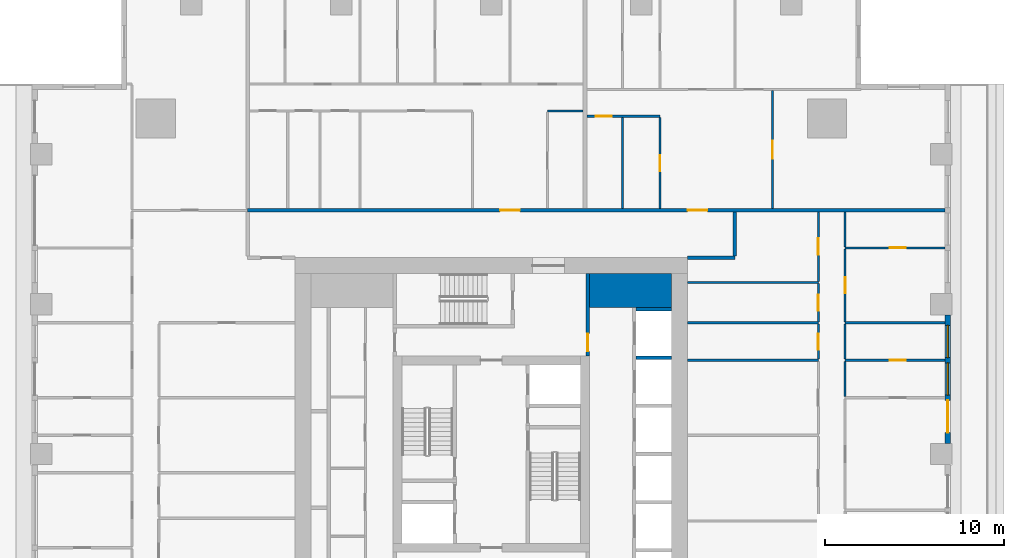
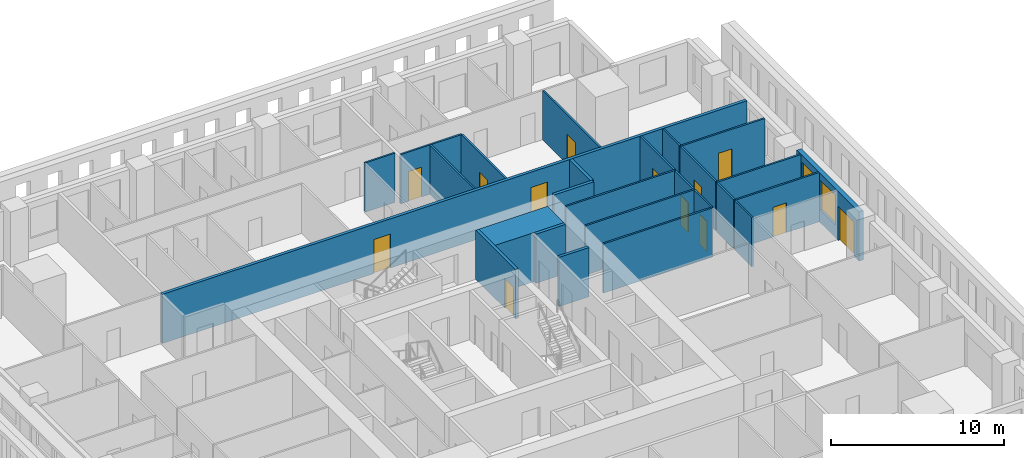
# One storey, part 8 of 15: 26 walls, 13 doors, 2 windows, 15 openings.
"""IFC4 building model written with IfcOpenShell, lengths in metres."""

from ifc_helpers import new_model, si_unit, direction, frame, frame_2d, origin, place, context, subcontext, project, spatial, rectangle, extrude, material, layer, layer_set, type_object, element, fill, save


model = new_model("IFC4")

# Units and contexts
model_context = context("Model", 3, precision=1e-05, world=origin(), true_north=direction((0.0, 1.0)))
body_context = subcontext(model_context, "Body", "Model", "MODEL_VIEW")
ifc_project = project(units=[si_unit("LENGTHUNIT", "METRE"), si_unit("AREAUNIT", "SQUARE_METRE"), si_unit("VOLUMEUNIT", "CUBIC_METRE"), si_unit("PLANEANGLEUNIT", "RADIAN"), si_unit("MASSUNIT", "GRAM", prefix="KILO")], contexts=[model_context])

# Site, building, storey
site_placement = place(None, origin())
site = spatial("IfcSite", under=ifc_project, at=site_placement, CompositionType="ELEMENT")
building_placement = place(site_placement, origin())
building = spatial("IfcBuilding", under=site, at=building_placement, Name="Khepri Terraces", CompositionType="ELEMENT")
storey_placement = place(building_placement, frame((0.0, 0.0, 252.300048828125)))
storey = spatial("IfcBuildingStorey", under=building, at=storey_placement, Name="L60", CompositionType="ELEMENT", Elevation=252.300048828125)

# Walls
ifc_material_1 = material(Name="Concrete C40/50", Category="concrete")
ifc_layer_1 = layer(ifc_material_1, 1.89990234375, Name="Concrete C40/50", Category="concrete")
ifc_layer_set_1 = layer_set([ifc_layer_1], Name="Concrete C40/50")
wall_type_1 = type_object("IfcWallType", Name="Core wall 1900 C40/50", PredefinedType="SHEAR", material=ifc_layer_set_1)
wall_1_placement = place(storey_placement, frame((5.5, 9.14990234375, 0.0), z_axis=(0.0, 0.0, 1.0), x_axis=(1.0, 0.0, 0.0)))
element("IfcWall", 1, at=wall_1_placement, inside=storey, type_object=wall_type_1, Name="Core wall PR04 L60", PredefinedType="SHEAR", context=body_context, shape_type="SweptSolid", body=[
    extrude(rectangle(XDim=4.60009765625, YDim=1.89990234375, at=frame_2d((2.300048828125, 0.0))), origin(), (0.0, 0.0, 1.0), 3.47998046875),
])
ifc_layer_2 = layer(ifc_material_1, 0.199951171875, Name="Concrete C40/50", Category="concrete")
ifc_layer_set_2 = layer_set([ifc_layer_2], Name="Concrete C40/50")
wall_type_2 = type_object("IfcWallType", Name="Core wall 200 C40/50", PredefinedType="SHEAR", material=ifc_layer_set_2)
for number, where, z_axis, x_axis, name in (
    (2, (8.10009765625, 5.39990234375, 0.0), (0.0, 0.0, 1.0), (1.0, 0.0, 0.0), "Core wall SH14 L60"),
    (3, (8.10009765625, 8.10009765625, 0.0), (0.0, 0.0, 1.0), (1.0, 0.0, 0.0), "Core wall SH15 L60"),
):
    element("IfcWall", number, at=place(storey_placement, frame(where, z_axis=z_axis, x_axis=x_axis)), inside=storey, type_object=wall_type_2, Name=name, PredefinedType="SHEAR", context=body_context, shape_type="SweptSolid", body=[
        extrude(rectangle(XDim=2.0, YDim=0.199951171875, at=frame_2d((1.0, 0.0))), origin(), (0.0, 0.0, 1.0), 3.47998046875),
    ])

# Wall, opening, door
ifc_material_2 = material(Name="Fire-rated gypsum board partition")
ifc_layer_3 = layer(ifc_material_2, 0.199951171875, Name="Fire-rated gypsum board partition")
ifc_layer_set_3 = layer_set([ifc_layer_3], Name="Fire-rated gypsum board partition")
wall_type_3 = type_object("IfcWallType", Name="WL-CORE-PART-200", PredefinedType="PARTITIONING", material=ifc_layer_set_3)
wall_2_placement = place(storey_placement, frame((5.39990234375, 5.5, 0.0), z_axis=(0.0, 0.0, 1.0), x_axis=(0.0, 1.0, 0.0)))
wall_2 = element("IfcWall", 4, at=wall_2_placement, inside=storey, type_object=wall_type_3, Name="Core partition PT12 L60", PredefinedType="PARTITIONING", context=body_context, shape_type="SweptSolid", body=[
    extrude(rectangle(XDim=4.60009765625, YDim=0.199951171875, at=frame_2d((2.300048828125, 0.0))), origin(), (0.0, 0.0, 1.0), 3.47998046875),
])
opening_1_placement = place(wall_2_placement, frame((0.25, 0.0, 0.0)))
opening_1 = element("IfcOpeningElement", 5, at=opening_1_placement, cuts=wall_2, Name="Opening L60-C17", PredefinedType="OPENING", context=body_context, shape_type="SweptSolid", body=[
    extrude(rectangle(XDim=1.0, YDim=2.10009765625, at=frame_2d((0.5, 1.050048828125))), frame((0.0, 0.10986328125, 0.0), z_axis=(0.0, -1.0, 0.0), x_axis=(1.0, 0.0, 0.0)), (0.0, 0.0, 1.0), 0.219970703125),
])
ifc_material_3 = material(Name="Painted steel", Category="steel")
door_type_1 = type_object("IfcDoorType", Name="DR-CORE-LOBBY-1000", OperationType="NOTDEFINED", PredefinedType="DOOR", material=ifc_material_3)
door_1_placement = place(opening_1_placement, origin())
door_1 = element("IfcDoor", 6, at=door_1_placement, inside=storey, type_object=door_type_1, Name="Lobby door L60-C17", OperationType="SINGLE_SWING_LEFT", OverallHeight=2.10009765625, OverallWidth=1.0, PredefinedType="DOOR", context=body_context, shape_type="SweptSolid", body=[
    extrude(rectangle(XDim=1.0, YDim=2.10009765625, at=frame_2d((0.5, 1.050048828125))), frame((0.0, 0.02490234375, 0.0), z_axis=(0.0, -1.0, 0.0), x_axis=(1.0, 0.0, 0.0)), (0.0, 0.0, 1.0), 0.050048828125),
])
fill(opening_1, door_1)

# Walls
ifc_material_4 = material(Name="Fire-rated gypsum plasterboard partition, mineral wool")
ifc_layer_4 = layer(ifc_material_4, 0.199951171875, Name="Fire-rated gypsum plasterboard partition, mineral wool")
ifc_layer_set_4 = layer_set([ifc_layer_4], Name="Fire-rated gypsum plasterboard partition, mineral wool")
wall_type_4 = type_object("IfcWallType", Name="WL-CORR-200", PredefinedType="PARTITIONING", material=ifc_layer_set_4)
wall_3_placement = place(storey_placement, frame((11.0, 11.0, 0.0), z_axis=(0.0, 0.0, 1.0), x_axis=(1.0, 0.0, 0.0)))
element("IfcWall", 7, at=wall_3_placement, inside=storey, type_object=wall_type_4, Name="Partition P-073 L60", PredefinedType="PARTITIONING", context=body_context, shape_type="SweptSolid", body=[
    extrude(rectangle(XDim=2.64990234375, YDim=0.199951171875, at=frame_2d((1.324951171875, 0.0))), origin(), (0.0, 0.0, 1.0), 3.47998046875),
])
wall_4_placement = place(storey_placement, frame((13.64990234375, 11.10009765625, 0.0), z_axis=(0.0, 0.0, 1.0), x_axis=(0.0, 1.0, 0.0)))
element("IfcWall", 8, at=wall_4_placement, inside=storey, type_object=wall_type_4, Name="Partition P-075 L60", PredefinedType="PARTITIONING", context=body_context, shape_type="SweptSolid", body=[
    extrude(rectangle(XDim=2.449951171875, YDim=0.199951171875, at=frame_2d((1.22509765625, 0.0))), origin(), (0.0, 0.0, 1.0), 3.47998046875),
])

# Wall, openings, doors
wall_5_placement = place(storey_placement, frame((-13.64990234375, 13.64990234375, 0.0), z_axis=(0.0, 0.0, 1.0), x_axis=(1.0, 0.0, 0.0)))
wall_5 = element("IfcWall", 9, at=wall_5_placement, inside=storey, type_object=wall_type_4, Name="Partition P-081 L60", PredefinedType="PARTITIONING", context=body_context, shape_type="SweptSolid", body=[
    extrude(rectangle(XDim=39.06982421875, YDim=0.199951171875, at=frame_2d((19.534912109375, 0.0))), origin(), (0.0, 0.0, 1.0), 3.47998046875),
])
opening_2_placement = place(wall_5_placement, frame((24.64990234375, 0.0, 0.0)))
opening_2 = element("IfcOpeningElement", 10, at=opening_2_placement, cuts=wall_5, Name="Opening D1", PredefinedType="OPENING", context=body_context, shape_type="SweptSolid", body=[
    extrude(rectangle(XDim=1.10009765625, YDim=2.39990234375, at=frame_2d((0.550048828125, 1.199951171875))), frame((0.0, 0.10986328125, 0.0), z_axis=(0.0, -1.0, 0.0), x_axis=(1.0, 0.0, 0.0)), (0.0, 0.0, 1.0), 0.219970703125),
])
opening_3_placement = place(wall_5_placement, frame((14.14990234375, 0.0, 0.0)))
opening_3 = element("IfcOpeningElement", 11, at=opening_3_placement, cuts=wall_5, Name="Opening D1", PredefinedType="OPENING", context=body_context, shape_type="SweptSolid", body=[
    extrude(rectangle(XDim=1.10009765625, YDim=2.39990234375, at=frame_2d((0.550048828125, 1.199951171875))), frame((0.0, 0.10986328125, 0.0), z_axis=(0.0, -1.0, 0.0), x_axis=(1.0, 0.0, 0.0)), (0.0, 0.0, 1.0), 0.219970703125),
])
ifc_material_5 = material(Name="Solid-core timber door leaf, flat entrance door", Category="wood")
door_type_2 = type_object("IfcDoorType", Name="DR-ENT-1100", OperationType="NOTDEFINED", PredefinedType="DOOR", material=ifc_material_5)
door_2_placement = place(opening_2_placement, origin())
door_2 = element("IfcDoor", 12, at=door_2_placement, inside=storey, type_object=door_type_2, Name="Flat C1 entrance door", OperationType="SINGLE_SWING_RIGHT", OverallHeight=2.39990234375, OverallWidth=1.10009765625, PredefinedType="DOOR", context=body_context, shape_type="SweptSolid", body=[
    extrude(rectangle(XDim=1.10009765625, YDim=2.39990234375, at=frame_2d((0.550048828125, 1.199951171875))), frame((0.0, 0.02490234375, 0.0), z_axis=(0.0, -1.0, 0.0), x_axis=(1.0, 0.0, 0.0)), (0.0, 0.0, 1.0), 0.050048828125),
])
fill(opening_2, door_2)
door_3_placement = place(opening_3_placement, origin())
door_3 = element("IfcDoor", 13, at=door_3_placement, inside=storey, type_object=door_type_2, Name="Flat C2 entrance door", OperationType="SINGLE_SWING_LEFT", OverallHeight=2.39990234375, OverallWidth=1.10009765625, PredefinedType="DOOR", context=body_context, shape_type="SweptSolid", body=[
    extrude(rectangle(XDim=1.10009765625, YDim=2.39990234375, at=frame_2d((0.550048828125, 1.199951171875))), frame((0.0, 0.02490234375, 0.0), z_axis=(0.0, -1.0, 0.0), x_axis=(1.0, 0.0, 0.0)), (0.0, 0.0, 1.0), 0.050048828125),
])
fill(opening_3, door_3)

# Wall, openings, door, windows
ifc_material_6 = material(Name="Precast concrete C50/60 warm stone", Category="masonry")
ifc_layer_5 = layer(ifc_material_6, 0.300048828125, Name="Precast concrete C50/60 warm stone", Category="masonry")
ifc_layer_set_5 = layer_set([ifc_layer_5], Name="Precast concrete C50/60 warm stone")
wall_type_5 = type_object("IfcWallType", Name="WL-EXT-PRECAST-300", PredefinedType="STANDARD", material=ifc_layer_set_5)
wall_6_placement = place(storey_placement, frame((25.570068359375, 0.60009765625, 0.0), z_axis=(0.0, 0.0, 1.0), x_axis=(0.0, 1.0, 0.0)))
wall_6 = element("IfcWall", 14, at=wall_6_placement, inside=storey, type_object=wall_type_5, Name="External wall L60 E", PredefinedType="STANDARD", context=body_context, shape_type="SweptSolid", body=[
    extrude(rectangle(XDim=7.199951171875, YDim=0.300048828125, at=frame_2d((3.60009765625, 0.0))), origin(), (0.0, 0.0, 1.0), 3.47998046875),
])
opening_4_placement = place(wall_6_placement, frame((0.60009765625, 0.0, 0.0)))
opening_4 = element("IfcOpeningElement", 15, at=opening_4_placement, cuts=wall_6, Name="Opening ED-L60-06", PredefinedType="OPENING", context=body_context, shape_type="SweptSolid", body=[
    extrude(rectangle(XDim=1.800048828125, YDim=2.39990234375, at=frame_2d((0.89990234375, 1.199951171875))), frame((0.0, 0.16015625, 0.0), z_axis=(0.0, -1.0, 0.0), x_axis=(1.0, 0.0, 0.0)), (0.0, 0.0, 1.0), 0.320068359375),
])
opening_5_placement = place(wall_6_placement, frame((2.699951171875, 0.0, 0.89990234375)))
opening_5 = element("IfcOpeningElement", 16, at=opening_5_placement, cuts=wall_6, Name="Opening W1", PredefinedType="OPENING", context=body_context, shape_type="SweptSolid", body=[
    extrude(rectangle(XDim=1.800048828125, YDim=2.10009765625, at=frame_2d((0.89990234375, 1.050048828125))), frame((0.0, 0.16015625, 0.0), z_axis=(0.0, -1.0, 0.0), x_axis=(1.0, 0.0, 0.0)), (0.0, 0.0, 1.0), 0.320068359375),
])
opening_6_placement = place(wall_6_placement, frame((4.800048828125, 0.0, 0.89990234375)))
opening_6 = element("IfcOpeningElement", 17, at=opening_6_placement, cuts=wall_6, Name="Opening W1", PredefinedType="OPENING", context=body_context, shape_type="SweptSolid", body=[
    extrude(rectangle(XDim=1.800048828125, YDim=2.10009765625, at=frame_2d((0.89990234375, 1.050048828125))), frame((0.0, 0.16015625, 0.0), z_axis=(0.0, -1.0, 0.0), x_axis=(1.0, 0.0, 0.0)), (0.0, 0.0, 1.0), 0.320068359375),
])
ifc_material_7 = material(Name="Anodised aluminium bronze glazed door", Category="aluminium")
door_type_3 = type_object("IfcDoorType", Name="DR-BAL-SLIDE-1800x2400", OperationType="NOTDEFINED", PredefinedType="DOOR", material=ifc_material_7)
door_4_placement = place(opening_4_placement, origin())
door_4 = element("IfcDoor", 18, at=door_4_placement, inside=storey, type_object=door_type_3, Name="Balcony door L60 E", OperationType="SLIDING_TO_LEFT", OverallHeight=2.39990234375, OverallWidth=1.800048828125, PredefinedType="DOOR", context=body_context, shape_type="SweptSolid", body=[
    extrude(rectangle(XDim=1.800048828125, YDim=2.39990234375, at=frame_2d((0.89990234375, 1.199951171875))), frame((0.0, 0.02490234375, 0.0), z_axis=(0.0, -1.0, 0.0), x_axis=(1.0, 0.0, 0.0)), (0.0, 0.0, 1.0), 0.050048828125),
])
fill(opening_4, door_4)
ifc_material_8 = material(Name="Clear glass", Category="glass")
window_type = type_object("IfcWindowType", Name="WIN-RES-1800x2100", PartitioningType="SINGLE_PANEL", PredefinedType="WINDOW", material=ifc_material_8)
window_1_placement = place(opening_5_placement, origin())
window_1 = element("IfcWindow", 19, at=window_1_placement, inside=storey, type_object=window_type, Name="Window L60 E", OverallHeight=2.10009765625, OverallWidth=1.800048828125, PartitioningType="SINGLE_PANEL", PredefinedType="WINDOW", context=body_context, shape_type="SweptSolid", body=[
    extrude(rectangle(XDim=1.800048828125, YDim=2.10009765625, at=frame_2d((0.89990234375, 1.050048828125))), frame((0.0, 0.030029296875, 0.0), z_axis=(0.0, -1.0, 0.0), x_axis=(1.0, 0.0, 0.0)), (0.0, 0.0, 1.0), 0.06005859375),
])
fill(opening_5, window_1)
window_2_placement = place(opening_6_placement, origin())
window_2 = element("IfcWindow", 20, at=window_2_placement, inside=storey, type_object=window_type, Name="Window L60 E", OverallHeight=2.10009765625, OverallWidth=1.800048828125, PartitioningType="SINGLE_PANEL", PredefinedType="WINDOW", context=body_context, shape_type="SweptSolid", body=[
    extrude(rectangle(XDim=1.800048828125, YDim=2.10009765625, at=frame_2d((0.89990234375, 1.050048828125))), frame((0.0, 0.030029296875, 0.0), z_axis=(0.0, -1.0, 0.0), x_axis=(1.0, 0.0, 0.0)), (0.0, 0.0, 1.0), 0.06005859375),
])
fill(opening_6, window_2)

# Walls
ifc_material_9 = material(Name="Gypsum plasterboard partition")
ifc_layer_6 = layer(ifc_material_9, 0.1201171875, Name="Gypsum plasterboard partition")
ifc_layer_set_6 = layer_set([ifc_layer_6], Name="Gypsum plasterboard partition")
wall_type_6 = type_object("IfcWallType", Name="WL-PART-120", PredefinedType="PARTITIONING", material=ifc_layer_set_6)
wall_7_placement = place(storey_placement, frame((19.820068359375, 3.2099609375, 0.0), z_axis=(0.0, 0.0, 1.0), x_axis=(0.0, 1.0, 0.0)))
element("IfcWall", 21, at=wall_7_placement, inside=storey, type_object=wall_type_6, Name="Partition P-058 L60", PredefinedType="PARTITIONING", context=body_context, shape_type="SweptSolid", body=[
    extrude(rectangle(XDim=1.97998046875, YDim=0.1201171875, at=frame_2d((0.989990234375, 0.0))), origin(), (0.0, 0.0, 1.0), 3.47998046875),
])
wall_8_placement = place(storey_placement, frame((11.0, 5.25, 0.0), z_axis=(0.0, 0.0, 1.0), x_axis=(1.0, 0.0, 0.0)))
element("IfcWall", 22, at=wall_8_placement, inside=storey, type_object=wall_type_6, Name="Partition P-059 L60", PredefinedType="PARTITIONING", context=body_context, shape_type="SweptSolid", body=[
    extrude(rectangle(XDim=7.320068359375, YDim=0.1201171875, at=frame_2d((3.66015625, 0.0))), origin(), (0.0, 0.0, 1.0), 3.47998046875),
])

# Wall, opening, door
wall_9_placement = place(storey_placement, frame((19.820068359375, 5.25, 0.0), z_axis=(0.0, 0.0, 1.0), x_axis=(1.0, 0.0, 0.0)))
wall_9 = element("IfcWall", 23, at=wall_9_placement, inside=storey, type_object=wall_type_6, Name="Partition P-060 L60", PredefinedType="PARTITIONING", context=body_context, shape_type="SweptSolid", body=[
    extrude(rectangle(XDim=5.599853515625, YDim=0.1201171875, at=frame_2d((2.7998046875, 0.0))), origin(), (0.0, 0.0, 1.0), 3.47998046875),
])
opening_7_placement = place(wall_9_placement, frame((2.5, 0.0, 0.0)))
opening_7 = element("IfcOpeningElement", 24, at=opening_7_placement, cuts=wall_9, Name="Opening D4", PredefinedType="OPENING", context=body_context, shape_type="SweptSolid", body=[
    extrude(rectangle(XDim=0.89990234375, YDim=2.10009765625, at=frame_2d((0.449951171875, 1.050048828125))), frame((0.0, 0.070068359375, 0.0), z_axis=(0.0, -1.0, 0.0), x_axis=(1.0, 0.0, 0.0)), (0.0, 0.0, 1.0), 0.14013671875),
])
ifc_material_10 = material(Name="Timber door leaf, moisture resistant", Category="wood")
door_type_4 = type_object("IfcDoorType", Name="DR-WET-900", OperationType="NOTDEFINED", PredefinedType="DOOR", material=ifc_material_10)
door_5_placement = place(opening_7_placement, origin())
door_5 = element("IfcDoor", 25, at=door_5_placement, inside=storey, type_object=door_type_4, Name="Door Bathroom", OperationType="SINGLE_SWING_RIGHT", OverallHeight=2.10009765625, OverallWidth=0.89990234375, PredefinedType="DOOR", context=body_context, shape_type="SweptSolid", body=[
    extrude(rectangle(XDim=0.89990234375, YDim=2.10009765625, at=frame_2d((0.449951171875, 1.050048828125))), frame((0.0, 0.02490234375, 0.0), z_axis=(0.0, -1.0, 0.0), x_axis=(1.0, 0.0, 0.0)), (0.0, 0.0, 1.0), 0.050048828125),
])
fill(opening_7, door_5)

wall_10_placement = place(storey_placement, frame((18.320068359375, 5.31005859375, 0.0), z_axis=(0.0, 0.0, 1.0), x_axis=(0.0, 1.0, 0.0)))
wall_10 = element("IfcWall", 26, at=wall_10_placement, inside=storey, type_object=wall_type_6, Name="Partition P-061 L60", PredefinedType="PARTITIONING", context=body_context, shape_type="SweptSolid", body=[
    extrude(rectangle(XDim=1.97998046875, YDim=0.1201171875, at=frame_2d((0.989990234375, 0.0))), origin(), (0.0, 0.0, 1.0), 3.47998046875),
])
opening_8_placement = place(wall_10_placement, frame((0.5400390625, 0.0, 0.0)))
opening_8 = element("IfcOpeningElement", 27, at=opening_8_placement, cuts=wall_10, Name="Opening D4", PredefinedType="OPENING", context=body_context, shape_type="SweptSolid", body=[
    extrude(rectangle(XDim=0.89990234375, YDim=2.10009765625, at=frame_2d((0.449951171875, 1.050048828125))), frame((0.0, 0.070068359375, 0.0), z_axis=(0.0, -1.0, 0.0), x_axis=(1.0, 0.0, 0.0)), (0.0, 0.0, 1.0), 0.14013671875),
])
door_6_placement = place(opening_8_placement, origin())
door_6 = element("IfcDoor", 28, at=door_6_placement, inside=storey, type_object=door_type_4, Name="Door Powder Room", OperationType="SINGLE_SWING_RIGHT", OverallHeight=2.10009765625, OverallWidth=0.89990234375, PredefinedType="DOOR", context=body_context, shape_type="SweptSolid", body=[
    extrude(rectangle(XDim=0.89990234375, YDim=2.10009765625, at=frame_2d((0.449951171875, 1.050048828125))), frame((0.0, 0.02490234375, 0.0), z_axis=(0.0, -1.0, 0.0), x_axis=(1.0, 0.0, 0.0)), (0.0, 0.0, 1.0), 0.050048828125),
])
fill(opening_8, door_6)

# Walls
wall_11_placement = place(storey_placement, frame((19.820068359375, 5.31005859375, 0.0), z_axis=(0.0, 0.0, 1.0), x_axis=(0.0, 1.0, 0.0)))
element("IfcWall", 29, at=wall_11_placement, inside=storey, type_object=wall_type_6, Name="Partition P-062 L60", PredefinedType="PARTITIONING", context=body_context, shape_type="SweptSolid", body=[
    extrude(rectangle(XDim=1.97998046875, YDim=0.1201171875, at=frame_2d((0.989990234375, 0.0))), origin(), (0.0, 0.0, 1.0), 3.47998046875),
])
wall_12_placement = place(storey_placement, frame((11.0, 7.35009765625, 0.0), z_axis=(0.0, 0.0, 1.0), x_axis=(1.0, 0.0, 0.0)))
element("IfcWall", 30, at=wall_12_placement, inside=storey, type_object=wall_type_6, Name="Partition P-065 L60", PredefinedType="PARTITIONING", context=body_context, shape_type="SweptSolid", body=[
    extrude(rectangle(XDim=7.320068359375, YDim=0.1201171875, at=frame_2d((3.66015625, 0.0))), origin(), (0.0, 0.0, 1.0), 3.47998046875),
])
wall_13_placement = place(storey_placement, frame((19.820068359375, 7.35009765625, 0.0), z_axis=(0.0, 0.0, 1.0), x_axis=(1.0, 0.0, 0.0)))
element("IfcWall", 31, at=wall_13_placement, inside=storey, type_object=wall_type_6, Name="Partition P-066 L60", PredefinedType="PARTITIONING", context=body_context, shape_type="SweptSolid", body=[
    extrude(rectangle(XDim=5.599853515625, YDim=0.1201171875, at=frame_2d((2.7998046875, 0.0))), origin(), (0.0, 0.0, 1.0), 3.47998046875),
])

# Wall, opening, door
wall_14_placement = place(storey_placement, frame((18.320068359375, 7.409912109375, 0.0), z_axis=(0.0, 0.0, 1.0), x_axis=(0.0, 1.0, 0.0)))
wall_14 = element("IfcWall", 32, at=wall_14_placement, inside=storey, type_object=wall_type_6, Name="Partition P-068 L60", PredefinedType="PARTITIONING", context=body_context, shape_type="SweptSolid", body=[
    extrude(rectangle(XDim=2.130126953125, YDim=0.1201171875, at=frame_2d((1.06494140625, 0.0))), origin(), (0.0, 0.0, 1.0), 3.47998046875),
])
opening_9_placement = place(wall_14_placement, frame((0.614990234375, 0.0, 0.0)))
opening_9 = element("IfcOpeningElement", 33, at=opening_9_placement, cuts=wall_14, Name="Opening D4", PredefinedType="OPENING", context=body_context, shape_type="SweptSolid", body=[
    extrude(rectangle(XDim=0.89990234375, YDim=2.10009765625, at=frame_2d((0.449951171875, 1.050048828125))), frame((0.0, 0.070068359375, 0.0), z_axis=(0.0, -1.0, 0.0), x_axis=(1.0, 0.0, 0.0)), (0.0, 0.0, 1.0), 0.14013671875),
])
door_7_placement = place(opening_9_placement, origin())
door_7 = element("IfcDoor", 34, at=door_7_placement, inside=storey, type_object=door_type_4, Name="Door Guest Bathroom", OperationType="SINGLE_SWING_RIGHT", OverallHeight=2.10009765625, OverallWidth=0.89990234375, PredefinedType="DOOR", context=body_context, shape_type="SweptSolid", body=[
    extrude(rectangle(XDim=0.89990234375, YDim=2.10009765625, at=frame_2d((0.449951171875, 1.050048828125))), frame((0.0, 0.02490234375, 0.0), z_axis=(0.0, -1.0, 0.0), x_axis=(1.0, 0.0, 0.0)), (0.0, 0.0, 1.0), 0.050048828125),
])
fill(opening_9, door_7)

wall_15_placement = place(storey_placement, frame((19.820068359375, 7.409912109375, 0.0), z_axis=(0.0, 0.0, 1.0), x_axis=(0.0, 1.0, 0.0)))
wall_15 = element("IfcWall", 35, at=wall_15_placement, inside=storey, type_object=wall_type_6, Name="Partition P-069 L60", PredefinedType="PARTITIONING", context=body_context, shape_type="SweptSolid", body=[
    extrude(rectangle(XDim=4.080078125, YDim=0.1201171875, at=frame_2d((2.0400390625, 0.0))), origin(), (0.0, 0.0, 1.0), 3.47998046875),
])
opening_10_placement = place(wall_15_placement, frame((1.590087890625, 0.0, 0.0)))
opening_10 = element("IfcOpeningElement", 36, at=opening_10_placement, cuts=wall_15, Name="Opening D3", PredefinedType="OPENING", context=body_context, shape_type="SweptSolid", body=[
    extrude(rectangle(XDim=0.89990234375, YDim=2.10009765625, at=frame_2d((0.449951171875, 1.050048828125))), frame((0.0, 0.070068359375, 0.0), z_axis=(0.0, -1.0, 0.0), x_axis=(1.0, 0.0, 0.0)), (0.0, 0.0, 1.0), 0.14013671875),
])
ifc_material_11 = material(Name="Timber door leaf", Category="wood")
door_type_5 = type_object("IfcDoorType", Name="DR-INT-900", OperationType="NOTDEFINED", PredefinedType="DOOR", material=ifc_material_11)
door_8_placement = place(opening_10_placement, frame((0.89990234375, 0.0, 0.0), z_axis=(0.0, 0.0, 1.0), x_axis=(-1.0, 0.0, 0.0)))
door_8 = element("IfcDoor", 37, at=door_8_placement, inside=storey, type_object=door_type_5, Name="Door Bedroom", OperationType="SINGLE_SWING_RIGHT", OverallHeight=2.10009765625, OverallWidth=0.89990234375, PredefinedType="DOOR", context=body_context, shape_type="SweptSolid", body=[
    extrude(rectangle(XDim=0.89990234375, YDim=2.10009765625, at=frame_2d((0.449951171875, 1.050048828125))), frame((0.0, 0.02490234375, 0.0), z_axis=(0.0, -1.0, 0.0), x_axis=(1.0, 0.0, 0.0)), (0.0, 0.0, 1.0), 0.050048828125),
])
fill(opening_10, door_8)

# Wall
wall_16_placement = place(storey_placement, frame((11.0, 9.60009765625, 0.0), z_axis=(0.0, 0.0, 1.0), x_axis=(1.0, 0.0, 0.0)))
element("IfcWall", 38, at=wall_16_placement, inside=storey, type_object=wall_type_6, Name="Partition P-070 L60", PredefinedType="PARTITIONING", context=body_context, shape_type="SweptSolid", body=[
    extrude(rectangle(XDim=7.320068359375, YDim=0.1201171875, at=frame_2d((3.66015625, 0.0))), origin(), (0.0, 0.0, 1.0), 3.47998046875),
])

# Wall, opening, door
wall_17_placement = place(storey_placement, frame((18.320068359375, 9.659912109375, 0.0), z_axis=(0.0, 0.0, 1.0), x_axis=(0.0, 1.0, 0.0)))
wall_17 = element("IfcWall", 39, at=wall_17_placement, inside=storey, type_object=wall_type_6, Name="Partition P-071 L60", PredefinedType="PARTITIONING", context=body_context, shape_type="SweptSolid", body=[
    extrude(rectangle(XDim=3.89013671875, YDim=0.1201171875, at=frame_2d((1.945068359375, 0.0))), origin(), (0.0, 0.0, 1.0), 3.47998046875),
])
opening_11_placement = place(wall_17_placement, frame((1.514892578125, 0.0, 0.0)))
opening_11 = element("IfcOpeningElement", 40, at=opening_11_placement, cuts=wall_17, Name="Opening D3", PredefinedType="OPENING", context=body_context, shape_type="SweptSolid", body=[
    extrude(rectangle(XDim=0.89990234375, YDim=2.10009765625, at=frame_2d((0.449951171875, 1.050048828125))), frame((0.0, 0.070068359375, 0.0), z_axis=(0.0, -1.0, 0.0), x_axis=(1.0, 0.0, 0.0)), (0.0, 0.0, 1.0), 0.14013671875),
])
door_9_placement = place(opening_11_placement, origin())
door_9 = element("IfcDoor", 41, at=door_9_placement, inside=storey, type_object=door_type_5, Name="Door Library", OperationType="SINGLE_SWING_RIGHT", OverallHeight=2.10009765625, OverallWidth=0.89990234375, PredefinedType="DOOR", context=body_context, shape_type="SweptSolid", body=[
    extrude(rectangle(XDim=0.89990234375, YDim=2.10009765625, at=frame_2d((0.449951171875, 1.050048828125))), frame((0.0, 0.02490234375, 0.0), z_axis=(0.0, -1.0, 0.0), x_axis=(1.0, 0.0, 0.0)), (0.0, 0.0, 1.0), 0.050048828125),
])
fill(opening_11, door_9)

wall_18_placement = place(storey_placement, frame((19.820068359375, 11.550048828125, 0.0), z_axis=(0.0, 0.0, 1.0), x_axis=(1.0, 0.0, 0.0)))
wall_18 = element("IfcWall", 42, at=wall_18_placement, inside=storey, type_object=wall_type_6, Name="Partition P-077 L60", PredefinedType="PARTITIONING", context=body_context, shape_type="SweptSolid", body=[
    extrude(rectangle(XDim=5.599853515625, YDim=0.1201171875, at=frame_2d((2.7998046875, 0.0))), origin(), (0.0, 0.0, 1.0), 3.47998046875),
])
opening_12_placement = place(wall_18_placement, frame((2.5, 0.0, 0.0)))
opening_12 = element("IfcOpeningElement", 43, at=opening_12_placement, cuts=wall_18, Name="Opening D4", PredefinedType="OPENING", context=body_context, shape_type="SweptSolid", body=[
    extrude(rectangle(XDim=0.89990234375, YDim=2.10009765625, at=frame_2d((0.449951171875, 1.050048828125))), frame((0.0, 0.070068359375, 0.0), z_axis=(0.0, -1.0, 0.0), x_axis=(1.0, 0.0, 0.0)), (0.0, 0.0, 1.0), 0.14013671875),
])
door_10_placement = place(opening_12_placement, origin())
door_10 = element("IfcDoor", 44, at=door_10_placement, inside=storey, type_object=door_type_4, Name="Door Bathroom", OperationType="SINGLE_SWING_RIGHT", OverallHeight=2.10009765625, OverallWidth=0.89990234375, PredefinedType="DOOR", context=body_context, shape_type="SweptSolid", body=[
    extrude(rectangle(XDim=0.89990234375, YDim=2.10009765625, at=frame_2d((0.449951171875, 1.050048828125))), frame((0.0, 0.02490234375, 0.0), z_axis=(0.0, -1.0, 0.0), x_axis=(1.0, 0.0, 0.0)), (0.0, 0.0, 1.0), 0.050048828125),
])
fill(opening_12, door_10)

# Walls
wall_19_placement = place(storey_placement, frame((19.820068359375, 11.610107421875, 0.0), z_axis=(0.0, 0.0, 1.0), x_axis=(0.0, 1.0, 0.0)))
element("IfcWall", 45, at=wall_19_placement, inside=storey, type_object=wall_type_6, Name="Partition P-079 L60", PredefinedType="PARTITIONING", context=body_context, shape_type="SweptSolid", body=[
    extrude(rectangle(XDim=1.93994140625, YDim=0.1201171875, at=frame_2d((0.969970703125, 0.0))), origin(), (0.0, 0.0, 1.0), 3.47998046875),
])
wall_20_placement = place(storey_placement, frame((7.35009765625, 13.75, 0.0), z_axis=(0.0, 0.0, 1.0), x_axis=(0.0, 1.0, 0.0)))
element("IfcWall", 46, at=wall_20_placement, inside=storey, type_object=wall_type_6, Name="Partition P-090 L60", PredefinedType="PARTITIONING", context=body_context, shape_type="SweptSolid", body=[
    extrude(rectangle(XDim=5.110107421875, YDim=0.1201171875, at=frame_2d((2.55517578125, 0.0))), origin(), (0.0, 0.0, 1.0), 3.47998046875),
])

# Wall, opening, door
wall_21_placement = place(storey_placement, frame((9.449951171875, 13.75, 0.0), z_axis=(0.0, 0.0, 1.0), x_axis=(0.0, 1.0, 0.0)))
wall_21 = element("IfcWall", 47, at=wall_21_placement, inside=storey, type_object=wall_type_6, Name="Partition P-091 L60", PredefinedType="PARTITIONING", context=body_context, shape_type="SweptSolid", body=[
    extrude(rectangle(XDim=5.110107421875, YDim=0.1201171875, at=frame_2d((2.55517578125, 0.0))), origin(), (0.0, 0.0, 1.0), 3.47998046875),
])
opening_13_placement = place(wall_21_placement, frame((2.0849609375, 0.0, 0.0)))
opening_13 = element("IfcOpeningElement", 48, at=opening_13_placement, cuts=wall_21, Name="Opening D4", PredefinedType="OPENING", context=body_context, shape_type="SweptSolid", body=[
    extrude(rectangle(XDim=0.89990234375, YDim=2.10009765625, at=frame_2d((0.449951171875, 1.050048828125))), frame((0.0, 0.070068359375, 0.0), z_axis=(0.0, -1.0, 0.0), x_axis=(1.0, 0.0, 0.0)), (0.0, 0.0, 1.0), 0.14013671875),
])
door_11_placement = place(opening_13_placement, origin())
door_11 = element("IfcDoor", 49, at=door_11_placement, inside=storey, type_object=door_type_4, Name="Door Guest Bathroom", OperationType="SINGLE_SWING_LEFT", OverallHeight=2.10009765625, OverallWidth=0.89990234375, PredefinedType="DOOR", context=body_context, shape_type="SweptSolid", body=[
    extrude(rectangle(XDim=0.89990234375, YDim=2.10009765625, at=frame_2d((0.449951171875, 1.050048828125))), frame((0.0, 0.02490234375, 0.0), z_axis=(0.0, -1.0, 0.0), x_axis=(1.0, 0.0, 0.0)), (0.0, 0.0, 1.0), 0.050048828125),
])
fill(opening_13, door_11)

wall_22_placement = place(storey_placement, frame((15.75, 13.75, 0.0), z_axis=(0.0, 0.0, 1.0), x_axis=(0.0, 1.0, 0.0)))
wall_22 = element("IfcWall", 50, at=wall_22_placement, inside=storey, type_object=wall_type_6, Name="Partition P-092 L60", PredefinedType="PARTITIONING", context=body_context, shape_type="SweptSolid", body=[
    extrude(rectangle(XDim=6.610107421875, YDim=0.1201171875, at=frame_2d((3.30517578125, 0.0))), origin(), (0.0, 0.0, 1.0), 3.47998046875),
])
opening_14_placement = place(wall_22_placement, frame((2.784912109375, 0.0, 0.0)))
opening_14 = element("IfcOpeningElement", 51, at=opening_14_placement, cuts=wall_22, Name="Opening D2", PredefinedType="OPENING", context=body_context, shape_type="SweptSolid", body=[
    extrude(rectangle(XDim=1.0, YDim=2.10009765625, at=frame_2d((0.5, 1.050048828125))), frame((0.0, 0.070068359375, 0.0), z_axis=(0.0, -1.0, 0.0), x_axis=(1.0, 0.0, 0.0)), (0.0, 0.0, 1.0), 0.14013671875),
])
ifc_material_12 = material(Name="Timber door leaf, living room door", Category="wood")
door_type_6 = type_object("IfcDoorType", Name="DR-INT-1000", OperationType="NOTDEFINED", PredefinedType="DOOR", material=ifc_material_12)
door_12_placement = place(opening_14_placement, frame((1.0, 0.0, 0.0), z_axis=(0.0, 0.0, 1.0), x_axis=(-1.0, 0.0, 0.0)))
door_12 = element("IfcDoor", 52, at=door_12_placement, inside=storey, type_object=door_type_6, Name="Door Family Room", OperationType="SINGLE_SWING_RIGHT", OverallHeight=2.10009765625, OverallWidth=1.0, PredefinedType="DOOR", context=body_context, shape_type="SweptSolid", body=[
    extrude(rectangle(XDim=1.0, YDim=2.10009765625, at=frame_2d((0.5, 1.050048828125))), frame((0.0, 0.02490234375, 0.0), z_axis=(0.0, -1.0, 0.0), x_axis=(1.0, 0.0, 0.0)), (0.0, 0.0, 1.0), 0.050048828125),
])
fill(opening_14, door_12)

wall_23_placement = place(storey_placement, frame((5.35009765625, 18.919921875, 0.0), z_axis=(0.0, 0.0, 1.0), x_axis=(1.0, 0.0, 0.0)))
wall_23 = element("IfcWall", 53, at=wall_23_placement, inside=storey, type_object=wall_type_6, Name="Partition P-093 L60", PredefinedType="PARTITIONING", context=body_context, shape_type="SweptSolid", body=[
    extrude(rectangle(XDim=4.099853515625, YDim=0.1201171875, at=frame_2d((2.0498046875, 0.0))), origin(), (0.0, 0.0, 1.0), 3.47998046875),
])
opening_15_placement = place(wall_23_placement, frame((0.5, 0.0, 0.0)))
opening_15 = element("IfcOpeningElement", 54, at=opening_15_placement, cuts=wall_23, Name="Opening D3", PredefinedType="OPENING", context=body_context, shape_type="SweptSolid", body=[
    extrude(rectangle(XDim=0.89990234375, YDim=2.10009765625, at=frame_2d((0.449951171875, 1.050048828125))), frame((0.0, 0.070068359375, 0.0), z_axis=(0.0, -1.0, 0.0), x_axis=(1.0, 0.0, 0.0)), (0.0, 0.0, 1.0), 0.14013671875),
])
door_13_placement = place(opening_15_placement, frame((0.89990234375, 0.0, 0.0), z_axis=(0.0, 0.0, 1.0), x_axis=(-1.0, 0.0, 0.0)))
door_13 = element("IfcDoor", 55, at=door_13_placement, inside=storey, type_object=door_type_5, Name="Door Kitchen", OperationType="SINGLE_SWING_RIGHT", OverallHeight=2.10009765625, OverallWidth=0.89990234375, PredefinedType="DOOR", context=body_context, shape_type="SweptSolid", body=[
    extrude(rectangle(XDim=0.89990234375, YDim=2.10009765625, at=frame_2d((0.449951171875, 1.050048828125))), frame((0.0, 0.02490234375, 0.0), z_axis=(0.0, -1.0, 0.0), x_axis=(1.0, 0.0, 0.0)), (0.0, 0.0, 1.0), 0.050048828125),
])
fill(opening_15, door_13)

# Wall
wall_24_placement = place(storey_placement, frame((3.14990234375, 19.219970703125, 0.0), z_axis=(0.0, 0.0, 1.0), x_axis=(1.0, 0.0, 0.0)))
element("IfcWall", 56, at=wall_24_placement, inside=storey, type_object=wall_type_6, Name="Partition P-095 L60", PredefinedType="PARTITIONING", context=body_context, shape_type="SweptSolid", body=[
    extrude(rectangle(XDim=2.0, YDim=0.1201171875, at=frame_2d((1.0, 0.0))), origin(), (0.0, 0.0, 1.0), 3.47998046875),
])

save(model, "model.ifc")
